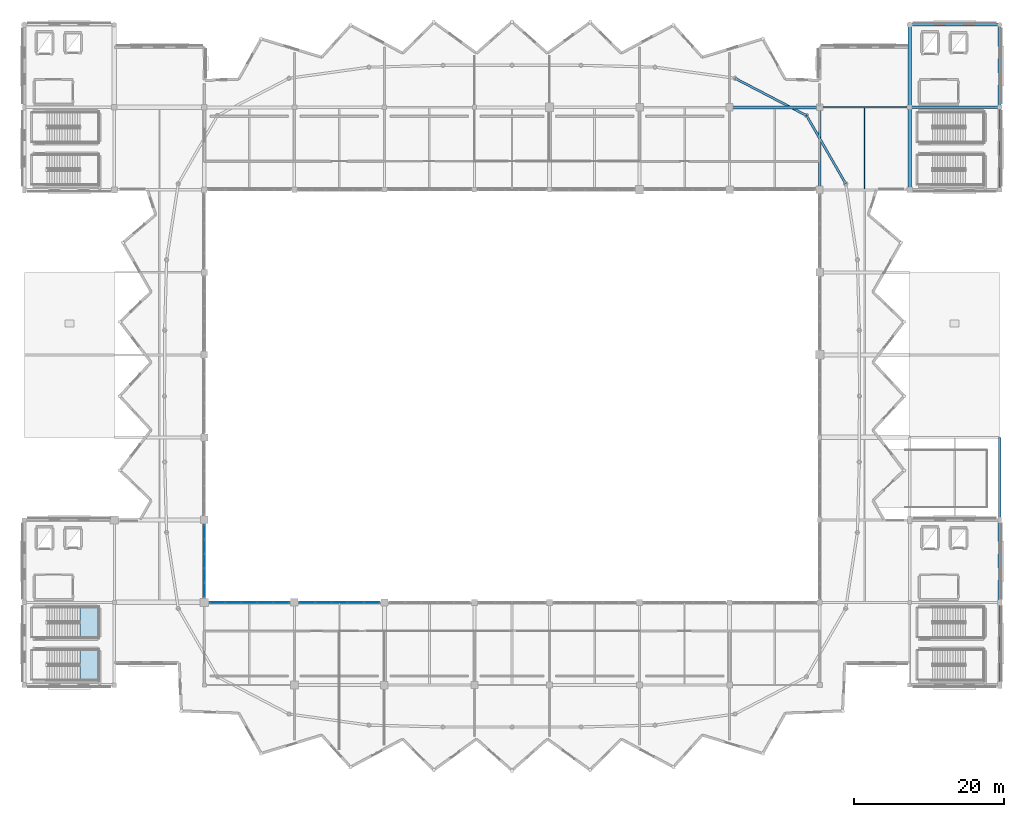
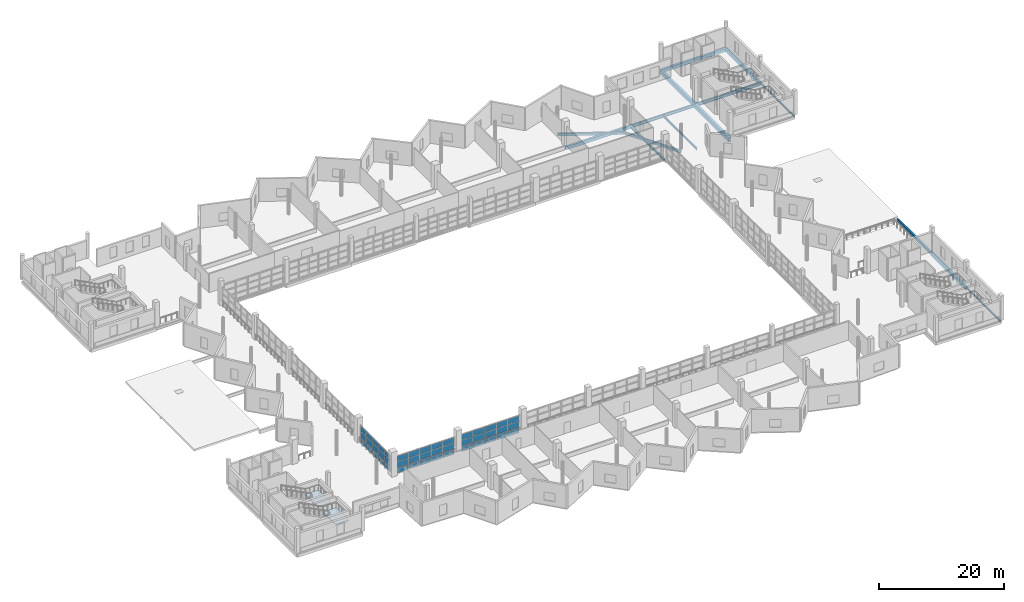
# One storey, part 28 of 53: 45 plates, 15 beams, 2 slabs, 5 elements without a shape of their own.
"""IFC4 building model written with IfcOpenShell, lengths in metres."""

from ifc_helpers import new_model, si_unit, direction, frame, origin, origin_2d, place, context, subcontext, project, spatial, polyline, rectangle, hollow_rectangle, i_section, outline, extrude, material, layer, layer_set, material_profile, profile_set, type_object, element, aggregate, save


model = new_model("IFC4")

# Units and contexts
model_context = context("Model", 3, precision=1e-05, world=origin(), true_north=direction((0.0, 1.0)))
body_context = subcontext(model_context, "Body", "Model", "MODEL_VIEW")
ifc_project = project(units=[si_unit("LENGTHUNIT", "METRE"), si_unit("AREAUNIT", "SQUARE_METRE"), si_unit("VOLUMEUNIT", "CUBIC_METRE"), si_unit("PLANEANGLEUNIT", "RADIAN"), si_unit("MASSUNIT", "GRAM", prefix="KILO")], contexts=[model_context])

# Site, building, storey
site_placement = place(None, origin())
site = spatial("IfcSite", under=ifc_project, at=site_placement, CompositionType="ELEMENT")
building_placement = place(site_placement, origin())
building = spatial("IfcBuilding", under=site, at=building_placement, Name="Luwafu Chhajja Arena", CompositionType="ELEMENT")
storey_placement = place(building_placement, frame((0.0, 0.0, 19.5)))
storey = spatial("IfcBuildingStorey", under=building, at=storey_placement, Name="L04", CompositionType="ELEMENT", Elevation=19.5)

# Beams
ifc_material_1 = material(Name="Steel S355", Category="steel")
ifc_material_profile_1 = material_profile(ifc_material_1, i_section(OverallWidth=0.165771484375, OverallDepth=0.306640625, WebThickness=0.006591796875, FlangeThickness=0.01171875, at=origin_2d()), Name="UB 305x165x46")
ifc_profile_set_1 = profile_set([ifc_material_profile_1], Name="Steel S355")
beam_type_1 = type_object("IfcBeamType", Name="Concourse Edge Spandrel Beam UB 305x165x46", PredefinedType="SPANDREL", material=ifc_profile_set_1)
for number, where, z_axis, x_axis, name in (
    (1, (164.0, 11.0, -0.543212890625), (0.0, 1.0, 0.0), (-1.0, 0.0, 0.0), "L04 Grid Beam 15/B-C"),
    (2, (164.0, 77.0, -0.543212890625), (0.0, 1.0, 0.0), (-1.0, 0.0, 0.0), "L04 Grid Beam 15/H-J"),
):
    element("IfcBeam", number, at=place(storey_placement, frame(where, z_axis=z_axis, x_axis=x_axis)), inside=storey, type_object=beam_type_1, Name=name, PredefinedType="SPANDREL", context=body_context, shape_type="SweptSolid", body=[
        extrude(i_section(OverallWidth=0.165771484375, OverallDepth=0.306640625, WebThickness=0.006591796875, FlangeThickness=0.01171875, at=origin_2d()), origin(), (0.0, 0.0, 1.0), 11.0),
    ])
ifc_material_profile_2 = material_profile(ifc_material_1, i_section(OverallWidth=0.15283203125, OverallDepth=0.45458984375, WebThickness=0.008056640625, FlangeThickness=0.01318359375, at=origin_2d()), Name="UB 457x152x60")
ifc_profile_set_2 = profile_set([ifc_material_profile_2], Name="Steel S355")
beam_type_2 = type_object("IfcBeamType", Name="Floor Joist UB 457x152x60", PredefinedType="JOIST", material=ifc_profile_set_2)
beam_1_placement = place(storey_placement, frame((146.0, 77.126953125, -0.6171875), z_axis=(0.0, 1.0, 0.0), x_axis=(-1.0, 0.0, 0.0)))
element("IfcBeam", 3, at=beam_1_placement, inside=storey, type_object=beam_type_2, Name="L04 Secondary Joist 13-14/H", PredefinedType="JOIST", context=body_context, shape_type="SweptSolid", body=[
    extrude(i_section(OverallWidth=0.15283203125, OverallDepth=0.45458984375, WebThickness=0.008056640625, FlangeThickness=0.01318359375, at=origin_2d()), origin(), (0.0, 0.0, 1.0), 10.758544921875),
])
ifc_material_2 = material(Name="Concrete C35/45", Category="concrete")
ifc_material_profile_3 = material_profile(ifc_material_2, rectangle(XDim=0.5, YDim=0.800048828125, at=origin_2d()), Name="RC 500x800")
ifc_profile_set_3 = profile_set([ifc_material_profile_3], Name="Concrete C35/45")
beam_type_3 = type_object("IfcBeamType", Name="Hospitality Primary Beam RC 500x800", PredefinedType="BEAM", material=ifc_profile_set_3)
beam_2_placement = place(storey_placement, frame((152.0, 77.0, -0.7900390625), z_axis=(0.0, 1.0, 0.0), x_axis=(-1.0, 0.0, 0.0)))
element("IfcBeam", 4, at=beam_2_placement, inside=storey, type_object=beam_type_3, Name="L04 Grid Beam 14/H-J", PredefinedType="BEAM", context=body_context, shape_type="SweptSolid", body=[
    extrude(rectangle(XDim=0.5, YDim=0.800048828125, at=origin_2d()), origin(), (0.0, 0.0, 1.0), 11.0),
])
ifc_material_profile_4 = material_profile(ifc_material_1, hollow_rectangle(XDim=0.300048828125, YDim=0.5, WallThickness=0.02001953125, at=origin_2d()), Name="RHS 500x300x20")
ifc_profile_set_4 = profile_set([ifc_material_profile_4], Name="Steel S355")
beam_type_4 = type_object("IfcBeamType", Name="Pleated Drum Spandrel Beam RHS 500x300", PredefinedType="SPANDREL", material=ifc_profile_set_4)
beam_3_placement = place(storey_placement, frame((164.0, 33.0, -0.639892578125), z_axis=(0.0, 1.0, 0.0), x_axis=(-1.0, 0.0, 0.0)))
element("IfcBeam", 5, at=beam_3_placement, inside=storey, type_object=beam_type_4, Name="L04 Grid Beam 15/D-E", PredefinedType="SPANDREL", context=body_context, shape_type="SweptSolid", body=[
    extrude(hollow_rectangle(XDim=0.300048828125, YDim=0.5, WallThickness=0.02001953125, at=origin_2d()), origin(), (0.0, 0.0, 1.0), 11.0),
])
beam_4_placement = place(storey_placement, frame((143.47607421875, 77.805908203125, -0.639892578125), z_axis=(-0.498192671921, 0.867066353657, 0.0), x_axis=(-0.867066353657, -0.498192671921, 0.0)))
element("IfcBeam", 6, at=beam_4_placement, inside=storey, type_object=beam_type_4, Name="L04 Drum Ring Spandrel D04-D05", PredefinedType="SPANDREL", context=body_context, shape_type="SweptSolid", body=[
    extrude(hollow_rectangle(XDim=0.300048828125, YDim=0.5, WallThickness=0.02001953125, at=origin_2d()), origin(), (0.0, 0.0, 1.0), 10.477783203125),
])
beam_5_placement = place(storey_placement, frame((138.256103515625, 86.890869140625, -0.639892578125), z_axis=(-0.886755170812, 0.462239404463, 0.0), x_axis=(-0.462239404463, -0.886755170812, 0.0)))
element("IfcBeam", 7, at=beam_5_placement, inside=storey, type_object=beam_type_4, Name="L04 Drum Ring Spandrel D05-D06", PredefinedType="SPANDREL", context=body_context, shape_type="SweptSolid", body=[
    extrude(hollow_rectangle(XDim=0.300048828125, YDim=0.5, WallThickness=0.02001953125, at=origin_2d()), origin(), (0.0, 0.0, 1.0), 10.756103515625),
])
ifc_material_profile_5 = material_profile(ifc_material_2, rectangle(XDim=0.39990234375, YDim=0.60009765625, at=origin_2d()), Name="RC 400x600")
ifc_profile_set_5 = profile_set([ifc_material_profile_5], Name="Concrete C35/45")
beam_type_5 = type_object("IfcBeamType", Name="Podium Perimeter Spandrel RC 400x600", PredefinedType="SPANDREL", material=ifc_profile_set_5)
for number, where, z_axis, x_axis, name in (
    (8, (128.0, 88.0, -0.68994140625), (1.0, 0.0, 0.0), (0.0, 1.0, 0.0), "L04 Grid Beam 12-13/J"),
    (9, (152.0, 99.0, -0.68994140625), (1.0, 0.0, 0.0), (0.0, 1.0, 0.0), "L04 Grid Beam 14-15/K"),
):
    element("IfcBeam", number, at=place(storey_placement, frame(where, z_axis=z_axis, x_axis=x_axis)), inside=storey, type_object=beam_type_5, Name=name, PredefinedType="SPANDREL", context=body_context, shape_type="SweptSolid", body=[
        extrude(rectangle(XDim=0.39990234375, YDim=0.60009765625, at=origin_2d()), origin(), (0.0, 0.0, 1.0), 12.0),
    ])
for number, where, z_axis, x_axis, name in (
    (10, (164.0, 22.0, -0.68994140625), (0.0, 1.0, 0.0), (-1.0, 0.0, 0.0), "L04 Grid Beam 15/C-D"),
    (11, (164.0, 88.0, -0.68994140625), (0.0, 1.0, 0.0), (-1.0, 0.0, 0.0), "L04 Grid Beam 15/J-K"),
):
    element("IfcBeam", number, at=place(storey_placement, frame(where, z_axis=z_axis, x_axis=x_axis)), inside=storey, type_object=beam_type_5, Name=name, PredefinedType="SPANDREL", context=body_context, shape_type="SweptSolid", body=[
        extrude(rectangle(XDim=0.39990234375, YDim=0.60009765625, at=origin_2d()), origin(), (0.0, 0.0, 1.0), 11.0),
    ])
ifc_material_profile_6 = material_profile(ifc_material_1, i_section(OverallWidth=0.300048828125, OverallDepth=0.60009765625, WebThickness=0.015380859375, FlangeThickness=0.030029296875, at=origin_2d()), Name="HEB 600")
ifc_profile_set_6 = profile_set([ifc_material_profile_6], Name="Steel S355")
beam_type_6 = type_object("IfcBeamType", Name="Steel Gallery Girder HEB 600", PredefinedType="BEAM", material=ifc_profile_set_6)
beam_6_placement = place(storey_placement, frame((152.0, 88.0, -0.68994140625), z_axis=(1.0, 0.0, 0.0), x_axis=(0.0, 1.0, 0.0)))
element("IfcBeam", 12, at=beam_6_placement, inside=storey, type_object=beam_type_6, Name="L04 Grid Beam 14-15/J", PredefinedType="BEAM", context=body_context, shape_type="SweptSolid", body=[
    extrude(i_section(OverallWidth=0.300048828125, OverallDepth=0.60009765625, WebThickness=0.015380859375, FlangeThickness=0.030029296875, at=origin_2d()), origin(), (0.0, 0.0, 1.0), 12.0),
])
ifc_material_profile_7 = material_profile(ifc_material_1, i_section(OverallWidth=0.22900390625, OverallDepth=0.6123046875, WebThickness=0.011962890625, FlangeThickness=0.01953125, at=origin_2d()), Name="UB 610x229x125")
ifc_profile_set_7 = profile_set([ifc_material_profile_7], Name="Steel S355")
beam_type_7 = type_object("IfcBeamType", Name="Steel Mezzanine Girder UB 610x229x125", PredefinedType="BEAM", material=ifc_profile_set_7)
beam_7_placement = place(storey_placement, frame((140.0, 88.0, -0.696044921875), z_axis=(1.0, 0.0, 0.0), x_axis=(0.0, 1.0, 0.0)))
element("IfcBeam", 13, at=beam_7_placement, inside=storey, type_object=beam_type_7, Name="L04 Grid Beam 13-14/J", PredefinedType="BEAM", context=body_context, shape_type="SweptSolid", body=[
    extrude(i_section(OverallWidth=0.22900390625, OverallDepth=0.6123046875, WebThickness=0.011962890625, FlangeThickness=0.01953125, at=origin_2d()), origin(), (0.0, 0.0, 1.0), 12.0),
])
ifc_material_profile_8 = material_profile(ifc_material_1, i_section(OverallWidth=0.300048828125, OverallDepth=0.39990234375, WebThickness=0.013427734375, FlangeThickness=0.02392578125, at=origin_2d()), Name="HEB 400")
ifc_profile_set_8 = profile_set([ifc_material_profile_8], Name="Steel S355")
beam_type_8 = type_object("IfcBeamType", Name="Steel Rigging Grid Beam HEB 400", PredefinedType="BEAM", material=ifc_profile_set_8)
beam_8_placement = place(storey_placement, frame((140.0, 77.0, -0.590087890625), z_axis=(0.0, 1.0, 0.0), x_axis=(-1.0, 0.0, 0.0)))
element("IfcBeam", 14, at=beam_8_placement, inside=storey, type_object=beam_type_8, Name="L04 Grid Beam 13/H-J", PredefinedType="BEAM", context=body_context, shape_type="SweptSolid", body=[
    extrude(i_section(OverallWidth=0.300048828125, OverallDepth=0.39990234375, WebThickness=0.013427734375, FlangeThickness=0.02392578125, at=origin_2d()), origin(), (0.0, 0.0, 1.0), 11.0),
])
ifc_material_profile_9 = material_profile(ifc_material_2, rectangle(XDim=0.449951171875, YDim=0.75, at=origin_2d()), Name="RC 450x750")
ifc_profile_set_9 = profile_set([ifc_material_profile_9], Name="Concrete C35/45")
beam_type_9 = type_object("IfcBeamType", Name="Wing Primary Beam RC 450x750", PredefinedType="BEAM", material=ifc_profile_set_9)
beam_9_placement = place(storey_placement, frame((152.0, 88.0, -0.764892578125), z_axis=(0.0, 1.0, 0.0), x_axis=(-1.0, 0.0, 0.0)))
element("IfcBeam", 15, at=beam_9_placement, inside=storey, type_object=beam_type_9, Name="L04 Grid Beam 14/J-K", PredefinedType="BEAM", context=body_context, shape_type="SweptSolid", body=[
    extrude(rectangle(XDim=0.449951171875, YDim=0.75, at=origin_2d()), origin(), (0.0, 0.0, 1.0), 11.0),
])

# Curtain wall, plates
ifc_material_3 = material(Name="Anodised bronze aluminium", Category="aluminium")
curtain_wall_type = type_object("IfcCurtainWallType", Name="Media Ribbon Curtain Wall", PredefinedType="USERDEFINED", material=ifc_material_3)
curtain_wall_1_placement = place(storey_placement, origin())
curtain_wall_1 = element("IfcCurtainWall", 16, at=curtain_wall_1_placement, inside=storey, type_object=curtain_wall_type, Name="L04 Bowl Viewing Curtain Wall CWR-L04-01", ObjectType="CURTAIN WALL", PredefinedType="USERDEFINED")
ifc_material_4 = material(Name="Solar-control laminated glass", Category="glass")
ifc_layer_1 = layer(ifc_material_4, 0.035888671875, Name="Solar-control laminated glass")
ifc_layer_set_1 = layer_set([ifc_layer_1], Name="Solar-control laminated glass")
plate_type = type_object("IfcPlateType", Name="Acoustic Broadcast Double Glazed CW Panel 36", PredefinedType="CURTAIN_PANEL", material=ifc_layer_set_1)
plate_1_placement = place(storey_placement, frame((59.7744140625, 22.0, 0.070068359375), z_axis=(0.0, 0.0, 1.0), x_axis=(1.0, 0.0, 0.0)))
plate_1 = element("IfcPlate", 17, at=plate_1_placement, type_object=plate_type, Name="CW-03 panel 1.1", PredefinedType="CURTAIN_PANEL", context=body_context, shape_type="SweptSolid", body=[
    extrude(rectangle(XDim=2.029052734375, YDim=0.035888671875, at=origin_2d()), origin(), (0.0, 0.0, 1.0), 1.044921875),
])
plate_2_placement = place(storey_placement, frame((59.7744140625, 22.0, 1.18505859375), z_axis=(0.0, 0.0, 1.0), x_axis=(1.0, 0.0, 0.0)))
plate_2 = element("IfcPlate", 18, at=plate_2_placement, type_object=plate_type, Name="CW-03 panel 1.2", PredefinedType="CURTAIN_PANEL", context=body_context, shape_type="SweptSolid", body=[
    extrude(rectangle(XDim=2.029052734375, YDim=0.035888671875, at=origin_2d()), origin(), (0.0, 0.0, 1.0), 1.074951171875),
])
plate_3_placement = place(storey_placement, frame((59.7744140625, 22.0, 2.330078125), z_axis=(0.0, 0.0, 1.0), x_axis=(1.0, 0.0, 0.0)))
plate_3 = element("IfcPlate", 19, at=plate_3_placement, type_object=plate_type, Name="CW-03 panel 1.3", PredefinedType="CURTAIN_PANEL", context=body_context, shape_type="SweptSolid", body=[
    extrude(rectangle(XDim=2.029052734375, YDim=0.035888671875, at=origin_2d()), origin(), (0.0, 0.0, 1.0), 1.0400390625),
])
plate_4_placement = place(storey_placement, frame((61.89111328125, 22.0, 0.070068359375), z_axis=(0.0, 0.0, 1.0), x_axis=(1.0, 0.0, 0.0)))
plate_4 = element("IfcPlate", 20, at=plate_4_placement, type_object=plate_type, Name="CW-03 panel 2.1", PredefinedType="CURTAIN_PANEL", context=body_context, shape_type="SweptSolid", body=[
    extrude(rectangle(XDim=2.06396484375, YDim=0.035888671875, at=origin_2d()), origin(), (0.0, 0.0, 1.0), 1.044921875),
])
plate_5_placement = place(storey_placement, frame((61.89111328125, 22.0, 1.18505859375), z_axis=(0.0, 0.0, 1.0), x_axis=(1.0, 0.0, 0.0)))
plate_5 = element("IfcPlate", 21, at=plate_5_placement, type_object=plate_type, Name="CW-03 panel 2.2", PredefinedType="CURTAIN_PANEL", context=body_context, shape_type="SweptSolid", body=[
    extrude(rectangle(XDim=2.06396484375, YDim=0.035888671875, at=origin_2d()), origin(), (0.0, 0.0, 1.0), 1.074951171875),
])
plate_6_placement = place(storey_placement, frame((61.89111328125, 22.0, 2.330078125), z_axis=(0.0, 0.0, 1.0), x_axis=(1.0, 0.0, 0.0)))
plate_6 = element("IfcPlate", 22, at=plate_6_placement, type_object=plate_type, Name="CW-03 panel 2.3", PredefinedType="CURTAIN_PANEL", context=body_context, shape_type="SweptSolid", body=[
    extrude(rectangle(XDim=2.06396484375, YDim=0.035888671875, at=origin_2d()), origin(), (0.0, 0.0, 1.0), 1.0400390625),
])
plate_7_placement = place(storey_placement, frame((64.02490234375, 22.0, 0.070068359375), z_axis=(0.0, 0.0, 1.0), x_axis=(1.0, 0.0, 0.0)))
plate_7 = element("IfcPlate", 23, at=plate_7_placement, type_object=plate_type, Name="CW-03 panel 3.1", PredefinedType="CURTAIN_PANEL", context=body_context, shape_type="SweptSolid", body=[
    extrude(rectangle(XDim=2.06396484375, YDim=0.035888671875, at=origin_2d()), origin(), (0.0, 0.0, 1.0), 1.044921875),
])
plate_8_placement = place(storey_placement, frame((64.02490234375, 22.0, 1.18505859375), z_axis=(0.0, 0.0, 1.0), x_axis=(1.0, 0.0, 0.0)))
plate_8 = element("IfcPlate", 24, at=plate_8_placement, type_object=plate_type, Name="CW-03 panel 3.2", PredefinedType="CURTAIN_PANEL", context=body_context, shape_type="SweptSolid", body=[
    extrude(rectangle(XDim=2.06396484375, YDim=0.035888671875, at=origin_2d()), origin(), (0.0, 0.0, 1.0), 1.074951171875),
])
plate_9_placement = place(storey_placement, frame((64.02490234375, 22.0, 2.330078125), z_axis=(0.0, 0.0, 1.0), x_axis=(1.0, 0.0, 0.0)))
plate_9 = element("IfcPlate", 25, at=plate_9_placement, type_object=plate_type, Name="CW-03 panel 3.3", PredefinedType="CURTAIN_PANEL", context=body_context, shape_type="SweptSolid", body=[
    extrude(rectangle(XDim=2.06396484375, YDim=0.035888671875, at=origin_2d()), origin(), (0.0, 0.0, 1.0), 1.0400390625),
])
plate_10_placement = place(storey_placement, frame((66.158935546875, 22.0, 0.070068359375), z_axis=(0.0, 0.0, 1.0), x_axis=(1.0, 0.0, 0.0)))
plate_10 = element("IfcPlate", 26, at=plate_10_placement, type_object=plate_type, Name="CW-03 panel 4.1", PredefinedType="CURTAIN_PANEL", context=body_context, shape_type="SweptSolid", body=[
    extrude(rectangle(XDim=2.06396484375, YDim=0.035888671875, at=origin_2d()), origin(), (0.0, 0.0, 1.0), 1.044921875),
])
plate_11_placement = place(storey_placement, frame((66.158935546875, 22.0, 1.18505859375), z_axis=(0.0, 0.0, 1.0), x_axis=(1.0, 0.0, 0.0)))
plate_11 = element("IfcPlate", 27, at=plate_11_placement, type_object=plate_type, Name="CW-03 panel 4.2", PredefinedType="CURTAIN_PANEL", context=body_context, shape_type="SweptSolid", body=[
    extrude(rectangle(XDim=2.06396484375, YDim=0.035888671875, at=origin_2d()), origin(), (0.0, 0.0, 1.0), 1.074951171875),
])
plate_12_placement = place(storey_placement, frame((66.158935546875, 22.0, 2.330078125), z_axis=(0.0, 0.0, 1.0), x_axis=(1.0, 0.0, 0.0)))
plate_12 = element("IfcPlate", 28, at=plate_12_placement, type_object=plate_type, Name="CW-03 panel 4.3", PredefinedType="CURTAIN_PANEL", context=body_context, shape_type="SweptSolid", body=[
    extrude(rectangle(XDim=2.06396484375, YDim=0.035888671875, at=origin_2d()), origin(), (0.0, 0.0, 1.0), 1.0400390625),
])
plate_13_placement = place(storey_placement, frame((68.275390625, 22.0, 0.070068359375), z_axis=(0.0, 0.0, 1.0), x_axis=(1.0, 0.0, 0.0)))
plate_13 = element("IfcPlate", 29, at=plate_13_placement, type_object=plate_type, Name="CW-03 panel 5.1", PredefinedType="CURTAIN_PANEL", context=body_context, shape_type="SweptSolid", body=[
    extrude(rectangle(XDim=2.029052734375, YDim=0.035888671875, at=origin_2d()), origin(), (0.0, 0.0, 1.0), 1.044921875),
])
plate_14_placement = place(storey_placement, frame((68.275390625, 22.0, 1.18505859375), z_axis=(0.0, 0.0, 1.0), x_axis=(1.0, 0.0, 0.0)))
plate_14 = element("IfcPlate", 30, at=plate_14_placement, type_object=plate_type, Name="CW-03 panel 5.2", PredefinedType="CURTAIN_PANEL", context=body_context, shape_type="SweptSolid", body=[
    extrude(rectangle(XDim=2.029052734375, YDim=0.035888671875, at=origin_2d()), origin(), (0.0, 0.0, 1.0), 1.074951171875),
])
plate_15_placement = place(storey_placement, frame((68.275390625, 22.0, 2.330078125), z_axis=(0.0, 0.0, 1.0), x_axis=(1.0, 0.0, 0.0)))
plate_15 = element("IfcPlate", 31, at=plate_15_placement, type_object=plate_type, Name="CW-03 panel 5.3", PredefinedType="CURTAIN_PANEL", context=body_context, shape_type="SweptSolid", body=[
    extrude(rectangle(XDim=2.029052734375, YDim=0.035888671875, at=origin_2d()), origin(), (0.0, 0.0, 1.0), 1.0400390625),
])
aggregate(curtain_wall_1, [plate_1, plate_2, plate_3, plate_4, plate_5, plate_6, plate_7, plate_8, plate_9, plate_10, plate_11, plate_12, plate_13, plate_14, plate_15])

curtain_wall_2_placement = place(storey_placement, origin())
curtain_wall_2 = element("IfcCurtainWall", 32, at=curtain_wall_2_placement, inside=storey, type_object=curtain_wall_type, Name="L04 Bowl Viewing Curtain Wall CWR-L04-02", ObjectType="CURTAIN WALL", PredefinedType="USERDEFINED")
plate_16_placement = place(storey_placement, frame((71.73193359375, 22.0, 0.070068359375), z_axis=(0.0, 0.0, 1.0), x_axis=(1.0, 0.0, 0.0)))
plate_16 = element("IfcPlate", 33, at=plate_16_placement, type_object=plate_type, Name="CW-03 panel 1.1", PredefinedType="CURTAIN_PANEL", context=body_context, shape_type="SweptSolid", body=[
    extrude(rectangle(XDim=2.0439453125, YDim=0.035888671875, at=origin_2d()), origin(), (0.0, 0.0, 1.0), 1.044921875),
])
plate_17_placement = place(storey_placement, frame((71.73193359375, 22.0, 1.18505859375), z_axis=(0.0, 0.0, 1.0), x_axis=(1.0, 0.0, 0.0)))
plate_17 = element("IfcPlate", 34, at=plate_17_placement, type_object=plate_type, Name="CW-03 panel 1.2", PredefinedType="CURTAIN_PANEL", context=body_context, shape_type="SweptSolid", body=[
    extrude(rectangle(XDim=2.0439453125, YDim=0.035888671875, at=origin_2d()), origin(), (0.0, 0.0, 1.0), 1.10009765625),
])
plate_18_placement = place(storey_placement, frame((71.73193359375, 22.0, 2.35498046875), z_axis=(0.0, 0.0, 1.0), x_axis=(1.0, 0.0, 0.0)))
plate_18 = element("IfcPlate", 35, at=plate_18_placement, type_object=plate_type, Name="CW-03 panel 1.3", PredefinedType="CURTAIN_PANEL", context=body_context, shape_type="SweptSolid", body=[
    extrude(rectangle(XDim=2.0439453125, YDim=0.035888671875, at=origin_2d()), origin(), (0.0, 0.0, 1.0), 1.06494140625),
])
plate_19_placement = place(storey_placement, frame((73.863525390625, 22.0, 0.070068359375), z_axis=(0.0, 0.0, 1.0), x_axis=(1.0, 0.0, 0.0)))
plate_19 = element("IfcPlate", 36, at=plate_19_placement, type_object=plate_type, Name="CW-03 panel 2.1", PredefinedType="CURTAIN_PANEL", context=body_context, shape_type="SweptSolid", body=[
    extrude(rectangle(XDim=2.0791015625, YDim=0.035888671875, at=origin_2d()), origin(), (0.0, 0.0, 1.0), 1.044921875),
])
plate_20_placement = place(storey_placement, frame((73.863525390625, 22.0, 1.18505859375), z_axis=(0.0, 0.0, 1.0), x_axis=(1.0, 0.0, 0.0)))
plate_20 = element("IfcPlate", 37, at=plate_20_placement, type_object=plate_type, Name="CW-03 panel 2.2", PredefinedType="CURTAIN_PANEL", context=body_context, shape_type="SweptSolid", body=[
    extrude(rectangle(XDim=2.0791015625, YDim=0.035888671875, at=origin_2d()), origin(), (0.0, 0.0, 1.0), 1.10009765625),
])
plate_21_placement = place(storey_placement, frame((73.863525390625, 22.0, 2.35498046875), z_axis=(0.0, 0.0, 1.0), x_axis=(1.0, 0.0, 0.0)))
plate_21 = element("IfcPlate", 38, at=plate_21_placement, type_object=plate_type, Name="CW-03 panel 2.3", PredefinedType="CURTAIN_PANEL", context=body_context, shape_type="SweptSolid", body=[
    extrude(rectangle(XDim=2.0791015625, YDim=0.035888671875, at=origin_2d()), origin(), (0.0, 0.0, 1.0), 1.06494140625),
])
plate_22_placement = place(storey_placement, frame((76.012451171875, 22.0, 0.070068359375), z_axis=(0.0, 0.0, 1.0), x_axis=(1.0, 0.0, 0.0)))
plate_22 = element("IfcPlate", 39, at=plate_22_placement, type_object=plate_type, Name="CW-03 panel 3.1", PredefinedType="CURTAIN_PANEL", context=body_context, shape_type="SweptSolid", body=[
    extrude(rectangle(XDim=2.0791015625, YDim=0.035888671875, at=origin_2d()), origin(), (0.0, 0.0, 1.0), 1.044921875),
])
plate_23_placement = place(storey_placement, frame((76.012451171875, 22.0, 1.18505859375), z_axis=(0.0, 0.0, 1.0), x_axis=(1.0, 0.0, 0.0)))
plate_23 = element("IfcPlate", 40, at=plate_23_placement, type_object=plate_type, Name="CW-03 panel 3.2", PredefinedType="CURTAIN_PANEL", context=body_context, shape_type="SweptSolid", body=[
    extrude(rectangle(XDim=2.0791015625, YDim=0.035888671875, at=origin_2d()), origin(), (0.0, 0.0, 1.0), 1.10009765625),
])
plate_24_placement = place(storey_placement, frame((76.012451171875, 22.0, 2.35498046875), z_axis=(0.0, 0.0, 1.0), x_axis=(1.0, 0.0, 0.0)))
plate_24 = element("IfcPlate", 41, at=plate_24_placement, type_object=plate_type, Name="CW-03 panel 3.3", PredefinedType="CURTAIN_PANEL", context=body_context, shape_type="SweptSolid", body=[
    extrude(rectangle(XDim=2.0791015625, YDim=0.035888671875, at=origin_2d()), origin(), (0.0, 0.0, 1.0), 1.06494140625),
])
plate_25_placement = place(storey_placement, frame((78.16162109375, 22.0, 0.070068359375), z_axis=(0.0, 0.0, 1.0), x_axis=(1.0, 0.0, 0.0)))
plate_25 = element("IfcPlate", 42, at=plate_25_placement, type_object=plate_type, Name="CW-03 panel 4.1", PredefinedType="CURTAIN_PANEL", context=body_context, shape_type="SweptSolid", body=[
    extrude(rectangle(XDim=2.0791015625, YDim=0.035888671875, at=origin_2d()), origin(), (0.0, 0.0, 1.0), 1.044921875),
])
plate_26_placement = place(storey_placement, frame((78.16162109375, 22.0, 1.18505859375), z_axis=(0.0, 0.0, 1.0), x_axis=(1.0, 0.0, 0.0)))
plate_26 = element("IfcPlate", 43, at=plate_26_placement, type_object=plate_type, Name="CW-03 panel 4.2", PredefinedType="CURTAIN_PANEL", context=body_context, shape_type="SweptSolid", body=[
    extrude(rectangle(XDim=2.0791015625, YDim=0.035888671875, at=origin_2d()), origin(), (0.0, 0.0, 1.0), 1.10009765625),
])
plate_27_placement = place(storey_placement, frame((78.16162109375, 22.0, 2.35498046875), z_axis=(0.0, 0.0, 1.0), x_axis=(1.0, 0.0, 0.0)))
plate_27 = element("IfcPlate", 44, at=plate_27_placement, type_object=plate_type, Name="CW-03 panel 4.3", PredefinedType="CURTAIN_PANEL", context=body_context, shape_type="SweptSolid", body=[
    extrude(rectangle(XDim=2.0791015625, YDim=0.035888671875, at=origin_2d()), origin(), (0.0, 0.0, 1.0), 1.06494140625),
])
plate_28_placement = place(storey_placement, frame((80.29296875, 22.0, 0.070068359375), z_axis=(0.0, 0.0, 1.0), x_axis=(1.0, 0.0, 0.0)))
plate_28 = element("IfcPlate", 45, at=plate_28_placement, type_object=plate_type, Name="CW-03 panel 5.1", PredefinedType="CURTAIN_PANEL", context=body_context, shape_type="SweptSolid", body=[
    extrude(rectangle(XDim=2.0439453125, YDim=0.035888671875, at=origin_2d()), origin(), (0.0, 0.0, 1.0), 1.044921875),
])
plate_29_placement = place(storey_placement, frame((80.29296875, 22.0, 1.18505859375), z_axis=(0.0, 0.0, 1.0), x_axis=(1.0, 0.0, 0.0)))
plate_29 = element("IfcPlate", 46, at=plate_29_placement, type_object=plate_type, Name="CW-03 panel 5.2", PredefinedType="CURTAIN_PANEL", context=body_context, shape_type="SweptSolid", body=[
    extrude(rectangle(XDim=2.0439453125, YDim=0.035888671875, at=origin_2d()), origin(), (0.0, 0.0, 1.0), 1.10009765625),
])
plate_30_placement = place(storey_placement, frame((80.29296875, 22.0, 2.35498046875), z_axis=(0.0, 0.0, 1.0), x_axis=(1.0, 0.0, 0.0)))
plate_30 = element("IfcPlate", 47, at=plate_30_placement, type_object=plate_type, Name="CW-03 panel 5.3", PredefinedType="CURTAIN_PANEL", context=body_context, shape_type="SweptSolid", body=[
    extrude(rectangle(XDim=2.0439453125, YDim=0.035888671875, at=origin_2d()), origin(), (0.0, 0.0, 1.0), 1.06494140625),
])
aggregate(curtain_wall_2, [plate_16, plate_17, plate_18, plate_19, plate_20, plate_21, plate_22, plate_23, plate_24, plate_25, plate_26, plate_27, plate_28, plate_29, plate_30])

curtain_wall_3_placement = place(storey_placement, origin())
curtain_wall_3 = element("IfcCurtainWall", 48, at=curtain_wall_3_placement, inside=storey, type_object=curtain_wall_type, Name="L04 Bowl Viewing Curtain Wall CWR-L04-15", ObjectType="CURTAIN WALL", PredefinedType="USERDEFINED")
plate_31_placement = place(storey_placement, frame((58.0, 23.674560546875, 0.070068359375), z_axis=(0.0, 0.0, 1.0), x_axis=(0.0, 1.0, 0.0)))
plate_31 = element("IfcPlate", 49, at=plate_31_placement, type_object=plate_type, Name="CW-03 panel 1.1", PredefinedType="CURTAIN_PANEL", context=body_context, shape_type="SweptSolid", body=[
    extrude(rectangle(XDim=1.8291015625, YDim=0.035888671875, at=origin_2d()), origin(), (0.0, 0.0, 1.0), 1.044921875),
])
plate_32_placement = place(storey_placement, frame((58.0, 23.674560546875, 1.18505859375), z_axis=(0.0, 0.0, 1.0), x_axis=(0.0, 1.0, 0.0)))
plate_32 = element("IfcPlate", 50, at=plate_32_placement, type_object=plate_type, Name="CW-03 panel 1.2", PredefinedType="CURTAIN_PANEL", context=body_context, shape_type="SweptSolid", body=[
    extrude(rectangle(XDim=1.8291015625, YDim=0.035888671875, at=origin_2d()), origin(), (0.0, 0.0, 1.0), 1.074951171875),
])
plate_33_placement = place(storey_placement, frame((58.0, 23.674560546875, 2.330078125), z_axis=(0.0, 0.0, 1.0), x_axis=(0.0, 1.0, 0.0)))
plate_33 = element("IfcPlate", 51, at=plate_33_placement, type_object=plate_type, Name="CW-03 panel 1.3", PredefinedType="CURTAIN_PANEL", context=body_context, shape_type="SweptSolid", body=[
    extrude(rectangle(XDim=1.8291015625, YDim=0.035888671875, at=origin_2d()), origin(), (0.0, 0.0, 1.0), 1.0400390625),
])
plate_34_placement = place(storey_placement, frame((58.0, 25.591064453125, 0.070068359375), z_axis=(0.0, 0.0, 1.0), x_axis=(0.0, 1.0, 0.0)))
plate_34 = element("IfcPlate", 52, at=plate_34_placement, type_object=plate_type, Name="CW-03 panel 2.1", PredefinedType="CURTAIN_PANEL", context=body_context, shape_type="SweptSolid", body=[
    extrude(rectangle(XDim=1.864013671875, YDim=0.035888671875, at=origin_2d()), origin(), (0.0, 0.0, 1.0), 1.044921875),
])
plate_35_placement = place(storey_placement, frame((58.0, 25.591064453125, 1.18505859375), z_axis=(0.0, 0.0, 1.0), x_axis=(0.0, 1.0, 0.0)))
plate_35 = element("IfcPlate", 53, at=plate_35_placement, type_object=plate_type, Name="CW-03 panel 2.2", PredefinedType="CURTAIN_PANEL", context=body_context, shape_type="SweptSolid", body=[
    extrude(rectangle(XDim=1.864013671875, YDim=0.035888671875, at=origin_2d()), origin(), (0.0, 0.0, 1.0), 1.074951171875),
])
plate_36_placement = place(storey_placement, frame((58.0, 25.591064453125, 2.330078125), z_axis=(0.0, 0.0, 1.0), x_axis=(0.0, 1.0, 0.0)))
plate_36 = element("IfcPlate", 54, at=plate_36_placement, type_object=plate_type, Name="CW-03 panel 2.3", PredefinedType="CURTAIN_PANEL", context=body_context, shape_type="SweptSolid", body=[
    extrude(rectangle(XDim=1.864013671875, YDim=0.035888671875, at=origin_2d()), origin(), (0.0, 0.0, 1.0), 1.0400390625),
])
plate_37_placement = place(storey_placement, frame((58.0, 27.52490234375, 0.070068359375), z_axis=(0.0, 0.0, 1.0), x_axis=(0.0, 1.0, 0.0)))
plate_37 = element("IfcPlate", 55, at=plate_37_placement, type_object=plate_type, Name="CW-03 panel 3.1", PredefinedType="CURTAIN_PANEL", context=body_context, shape_type="SweptSolid", body=[
    extrude(rectangle(XDim=1.864013671875, YDim=0.035888671875, at=origin_2d()), origin(), (0.0, 0.0, 1.0), 1.044921875),
])
plate_38_placement = place(storey_placement, frame((58.0, 27.52490234375, 1.18505859375), z_axis=(0.0, 0.0, 1.0), x_axis=(0.0, 1.0, 0.0)))
plate_38 = element("IfcPlate", 56, at=plate_38_placement, type_object=plate_type, Name="CW-03 panel 3.2", PredefinedType="CURTAIN_PANEL", context=body_context, shape_type="SweptSolid", body=[
    extrude(rectangle(XDim=1.864013671875, YDim=0.035888671875, at=origin_2d()), origin(), (0.0, 0.0, 1.0), 1.074951171875),
])
plate_39_placement = place(storey_placement, frame((58.0, 27.52490234375, 2.330078125), z_axis=(0.0, 0.0, 1.0), x_axis=(0.0, 1.0, 0.0)))
plate_39 = element("IfcPlate", 57, at=plate_39_placement, type_object=plate_type, Name="CW-03 panel 3.3", PredefinedType="CURTAIN_PANEL", context=body_context, shape_type="SweptSolid", body=[
    extrude(rectangle(XDim=1.864013671875, YDim=0.035888671875, at=origin_2d()), origin(), (0.0, 0.0, 1.0), 1.0400390625),
])
plate_40_placement = place(storey_placement, frame((58.0, 29.458984375, 0.070068359375), z_axis=(0.0, 0.0, 1.0), x_axis=(0.0, 1.0, 0.0)))
plate_40 = element("IfcPlate", 58, at=plate_40_placement, type_object=plate_type, Name="CW-03 panel 4.1", PredefinedType="CURTAIN_PANEL", context=body_context, shape_type="SweptSolid", body=[
    extrude(rectangle(XDim=1.864013671875, YDim=0.035888671875, at=origin_2d()), origin(), (0.0, 0.0, 1.0), 1.044921875),
])
plate_41_placement = place(storey_placement, frame((58.0, 29.458984375, 1.18505859375), z_axis=(0.0, 0.0, 1.0), x_axis=(0.0, 1.0, 0.0)))
plate_41 = element("IfcPlate", 59, at=plate_41_placement, type_object=plate_type, Name="CW-03 panel 4.2", PredefinedType="CURTAIN_PANEL", context=body_context, shape_type="SweptSolid", body=[
    extrude(rectangle(XDim=1.864013671875, YDim=0.035888671875, at=origin_2d()), origin(), (0.0, 0.0, 1.0), 1.074951171875),
])
plate_42_placement = place(storey_placement, frame((58.0, 29.458984375, 2.330078125), z_axis=(0.0, 0.0, 1.0), x_axis=(0.0, 1.0, 0.0)))
plate_42 = element("IfcPlate", 60, at=plate_42_placement, type_object=plate_type, Name="CW-03 panel 4.3", PredefinedType="CURTAIN_PANEL", context=body_context, shape_type="SweptSolid", body=[
    extrude(rectangle(XDim=1.864013671875, YDim=0.035888671875, at=origin_2d()), origin(), (0.0, 0.0, 1.0), 1.0400390625),
])
plate_43_placement = place(storey_placement, frame((58.0, 31.37548828125, 0.070068359375), z_axis=(0.0, 0.0, 1.0), x_axis=(0.0, 1.0, 0.0)))
plate_43 = element("IfcPlate", 61, at=plate_43_placement, type_object=plate_type, Name="CW-03 panel 5.1", PredefinedType="CURTAIN_PANEL", context=body_context, shape_type="SweptSolid", body=[
    extrude(rectangle(XDim=1.8291015625, YDim=0.035888671875, at=origin_2d()), origin(), (0.0, 0.0, 1.0), 1.044921875),
])
plate_44_placement = place(storey_placement, frame((58.0, 31.37548828125, 1.18505859375), z_axis=(0.0, 0.0, 1.0), x_axis=(0.0, 1.0, 0.0)))
plate_44 = element("IfcPlate", 62, at=plate_44_placement, type_object=plate_type, Name="CW-03 panel 5.2", PredefinedType="CURTAIN_PANEL", context=body_context, shape_type="SweptSolid", body=[
    extrude(rectangle(XDim=1.8291015625, YDim=0.035888671875, at=origin_2d()), origin(), (0.0, 0.0, 1.0), 1.074951171875),
])
plate_45_placement = place(storey_placement, frame((58.0, 31.37548828125, 2.330078125), z_axis=(0.0, 0.0, 1.0), x_axis=(0.0, 1.0, 0.0)))
plate_45 = element("IfcPlate", 63, at=plate_45_placement, type_object=plate_type, Name="CW-03 panel 5.3", PredefinedType="CURTAIN_PANEL", context=body_context, shape_type="SweptSolid", body=[
    extrude(rectangle(XDim=1.8291015625, YDim=0.035888671875, at=origin_2d()), origin(), (0.0, 0.0, 1.0), 1.0400390625),
])
aggregate(curtain_wall_3, [plate_31, plate_32, plate_33, plate_34, plate_35, plate_36, plate_37, plate_38, plate_39, plate_40, plate_41, plate_42, plate_43, plate_44, plate_45])

# Stair, slab
stair_type = type_object("IfcStairType", Name="Quadrant Protected Dog-Leg Stair 1920", PredefinedType="HALF_TURN_STAIR", material=ifc_material_2)
stair_1_placement = place(storey_placement, origin())
stair_1 = element("IfcStair", 64, at=stair_1_placement, inside=storey, type_object=stair_type, Name="L04 Protected Escape Stair ST-01", PredefinedType="HALF_TURN_STAIR")
ifc_layer_2 = layer(ifc_material_2, 0.199951171875, Name="Concrete C35/45")
ifc_layer_set_2 = layer_set([ifc_layer_2], Name="Concrete C35/45")
slab_type = type_object("IfcSlabType", Name="Escape Stair Landing Slab 200", PredefinedType="LANDING", material=ifc_layer_set_2)
slab_1_placement = place(storey_placement, frame((0.0, 0.0, 2.199951171875)))
slab_1 = element("IfcSlab", 65, at=slab_1_placement, type_object=slab_type, Name="ST-01 landing 1", PredefinedType="LANDING", context=body_context, shape_type="SweptSolid", body=[
    extrude(outline(polyline([(41.43994140625, 11.64990234375), (43.89990234375, 11.64990234375), (43.89990234375, 15.68994140625), (41.43994140625, 15.68994140625), (41.43994140625, 11.64990234375)])), origin(), (0.0, 0.0, 1.0), 0.199951171875),
])
aggregate(stair_1, [slab_1])

stair_2_placement = place(storey_placement, origin())
stair_2 = element("IfcStair", 66, at=stair_2_placement, inside=storey, type_object=stair_type, Name="L04 Protected Escape Stair ST-02", PredefinedType="HALF_TURN_STAIR")
slab_2_placement = place(storey_placement, frame((0.0, 0.0, 2.199951171875)))
slab_2 = element("IfcSlab", 67, at=slab_2_placement, type_object=slab_type, Name="ST-02 landing 1", PredefinedType="LANDING", context=body_context, shape_type="SweptSolid", body=[
    extrude(outline(polyline([(41.43994140625, 17.31005859375), (43.89990234375, 17.31005859375), (43.89990234375, 21.35009765625), (41.43994140625, 21.35009765625), (41.43994140625, 17.31005859375)])), origin(), (0.0, 0.0, 1.0), 0.199951171875),
])
aggregate(stair_2, [slab_2])

save(model, "model.ifc")
